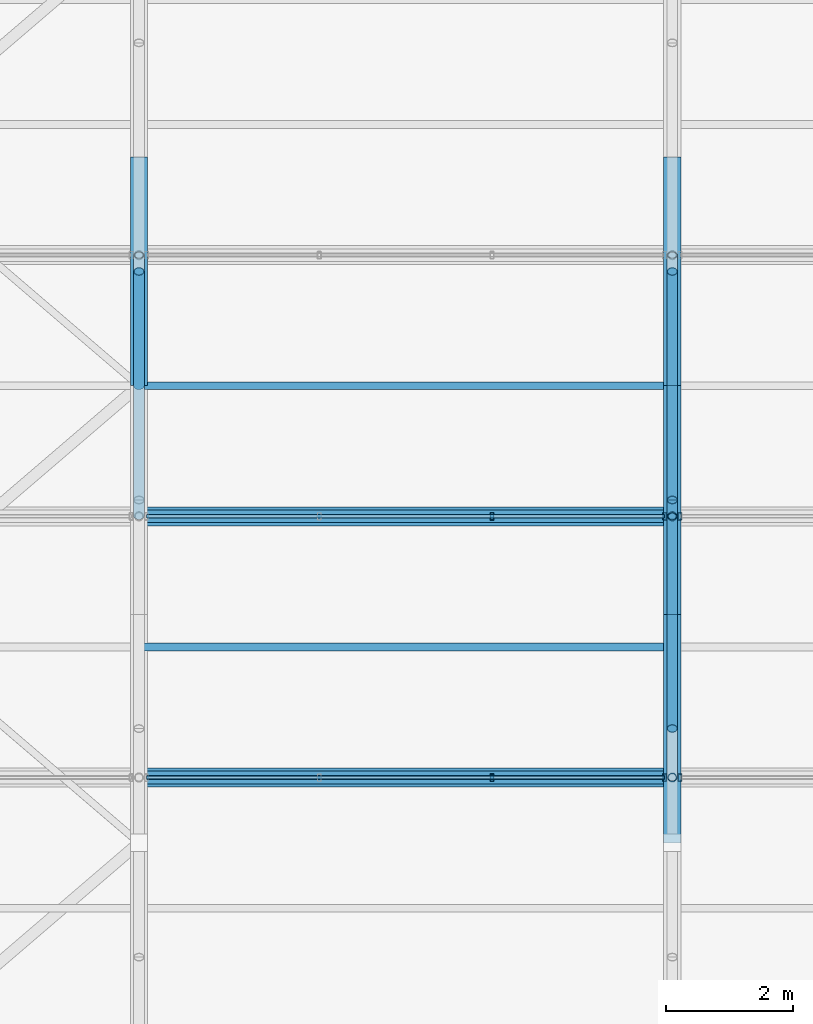
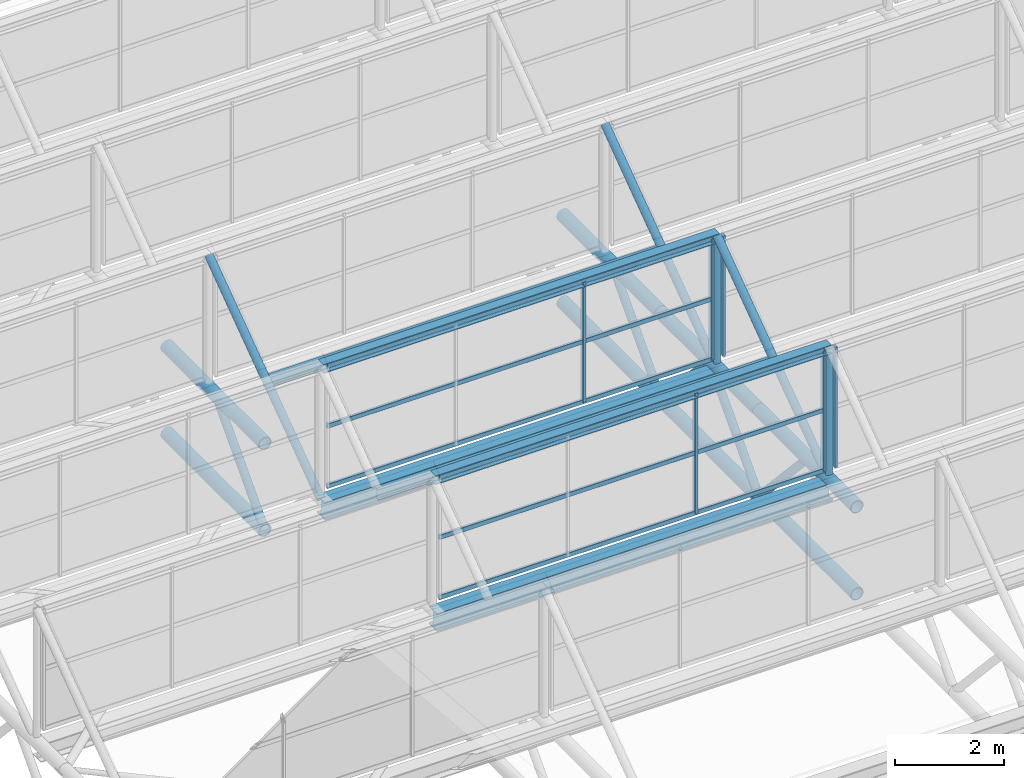
# One storey, part 59 of 134: 30 members, 6 beams, 4 elements without a shape of their own.
"""IFC4 building model written with IfcOpenShell, lengths in metres."""

from ifc_helpers import new_model, si_unit, derived_unit, direction, frame, origin, origin_2d, place, context, subcontext, project, spatial, hollow_rectangle, hollow_circle, i_section, extrude, material, material_profile, profile_set, type_object, element, aggregate, save


model = new_model("IFC4")

# Units and contexts
model_context = context("Model", 3, precision=1e-05, world=origin(), true_north=direction((0.0, 1.0)))
body_context = subcontext(model_context, "Body", "Model", "MODEL_VIEW")
ifc_project = project(units=[si_unit("LENGTHUNIT", "METRE"), si_unit("AREAUNIT", "SQUARE_METRE"), si_unit("VOLUMEUNIT", "CUBIC_METRE"), si_unit("PLANEANGLEUNIT", "RADIAN"), si_unit("MASSUNIT", "GRAM", prefix="KILO"), derived_unit("THERMALTRANSMITTANCEUNIT", [(si_unit("MASSUNIT", "GRAM", prefix="KILO"), 1), (si_unit("TIMEUNIT", "SECOND"), -3), (si_unit("THERMODYNAMICTEMPERATUREUNIT", "KELVIN"), -1)])], contexts=[model_context])

# Site, building, storey
site_placement = place(None, origin())
site = spatial("IfcSite", under=ifc_project, at=site_placement, CompositionType="ELEMENT")
building_placement = place(site_placement, origin())
building = spatial("IfcBuilding", under=site, at=building_placement, Name="Kharveza Railside Sports Centre", CompositionType="ELEMENT")
storey_placement = place(building_placement, frame((0.0, 0.0, 12.89990234375)))
storey = spatial("IfcBuildingStorey", under=building, at=storey_placement, Name="L03", CompositionType="ELEMENT", Elevation=12.89990234375)

# Beams
ifc_material_1 = material(Name="Steel S355J2", Category="steel")
ifc_material_profile_1 = material_profile(ifc_material_1, i_section(OverallWidth=0.300048828125, OverallDepth=0.39990234375, WebThickness=0.013427734375, FlangeThickness=0.02392578125, FilletRadius=0.027099609375, at=origin_2d()), Name="HEB 400")
ifc_profile_set_1 = profile_set([ifc_material_profile_1], Name="Steel S355J2")
beam_type_1 = type_object("IfcBeamType", Name="BM-G07", PredefinedType="T_BEAM", material=ifc_profile_set_1)
for number, where, z_axis, x_axis, name in (
    (1, (100.800048828125, 87.4287109375, 1.760009765625), (1.0, 0.0, 0.0), (0.0, 1.0, 0.0), "BM-V2SAW-VAL-3-2"),
    (2, (100.800048828125, 91.54296875, 1.760009765625), (1.0, 0.0, 0.0), (0.0, 1.0, 0.0), "BM-V2SAW-VAL-4-2"),
):
    element("IfcBeam", number, at=place(storey_placement, frame(where, z_axis=z_axis, x_axis=x_axis)), inside=storey, type_object=beam_type_1, Name=name, PredefinedType="T_BEAM", context=body_context, shape_type="SweptSolid", body=[
        extrude(i_section(OverallWidth=0.300048828125, OverallDepth=0.39990234375, WebThickness=0.013427734375, FlangeThickness=0.02392578125, FilletRadius=0.027099609375, at=origin_2d()), origin(), (0.0, 0.0, 1.0), 8.39990234375),
    ])
ifc_material_2 = material(Name="Steel S275JR", Category="steel")
ifc_material_profile_2 = material_profile(ifc_material_2, i_section(OverallWidth=0.1201171875, OverallDepth=0.239990234375, WebThickness=0.006103515625, FlangeThickness=0.009765625, FilletRadius=0.014892578125, at=origin_2d()), Name="IPE 240")
ifc_profile_set_2 = profile_set([ifc_material_profile_2], Name="Steel S275JR")
beam_type_2 = type_object("IfcBeamType", Name="BM-J01", PredefinedType="JOIST", material=ifc_profile_set_2)
for number, where, z_axis, x_axis, name in (
    (3, (100.800048828125, 89.485595703125, 3.320068359375), (1.0, 0.0, 0.0), (0.0, 1.0, 0.0), "BM-V2SAW-PUR-3-2"),
    (4, (100.800048828125, 93.60009765625, 3.320068359375), (1.0, 0.0, 0.0), (0.0, 1.0, 0.0), "BM-V2SAW-PUR-4-2"),
):
    element("IfcBeam", number, at=place(storey_placement, frame(where, z_axis=z_axis, x_axis=x_axis)), inside=storey, type_object=beam_type_2, Name=name, PredefinedType="JOIST", context=body_context, shape_type="SweptSolid", body=[
        extrude(i_section(OverallWidth=0.1201171875, OverallDepth=0.239990234375, WebThickness=0.006103515625, FlangeThickness=0.009765625, FilletRadius=0.014892578125, at=origin_2d()), origin(), (0.0, 0.0, 1.0), 8.39990234375),
    ])
ifc_material_profile_3 = material_profile(ifc_material_2, i_section(OverallWidth=0.199951171875, OverallDepth=0.199951171875, WebThickness=0.009033203125, FlangeThickness=0.014892578125, FilletRadius=0.01806640625, at=origin_2d()), Name="HEB 200")
ifc_profile_set_3 = profile_set([ifc_material_profile_3], Name="Steel S275JR")
beam_type_3 = type_object("IfcBeamType", Name="BM-J05", PredefinedType="JOIST", material=ifc_profile_set_3)
for number, where, z_axis, x_axis, name in (
    (5, (100.800048828125, 87.4287109375, 4.920166015625), (1.0, 0.0, 0.0), (0.0, 1.0, 0.0), "BM-V2SAW-RDG-2-2"),
    (6, (100.800048828125, 91.54296875, 4.920166015625), (1.0, 0.0, 0.0), (0.0, 1.0, 0.0), "BM-V2SAW-RDG-3-2"),
):
    element("IfcBeam", number, at=place(storey_placement, frame(where, z_axis=z_axis, x_axis=x_axis)), inside=storey, type_object=beam_type_3, Name=name, PredefinedType="JOIST", context=body_context, shape_type="SweptSolid", body=[
        extrude(i_section(OverallWidth=0.199951171875, OverallDepth=0.199951171875, WebThickness=0.009033203125, FlangeThickness=0.014892578125, FilletRadius=0.01806640625, at=origin_2d()), origin(), (0.0, 0.0, 1.0), 8.39990234375),
    ])

# Curtain wall, members
ifc_material_3 = material(Name="Low-E solar-control laminated glass", Category="glass")
curtain_wall_type = type_object("IfcCurtainWallType", Name="CW-NL02", PredefinedType="NOTDEFINED", material=ifc_material_3)
curtain_wall_1_placement = place(storey_placement, origin())
curtain_wall_1 = element("IfcCurtainWall", 7, at=curtain_wall_1_placement, inside=storey, type_object=curtain_wall_type, Name="CW-V2NL-2-2", PredefinedType="NOTDEFINED")
ifc_material_4 = material(Name="Anodised aluminium 6063-T6", Category="aluminium")
ifc_material_profile_4 = material_profile(ifc_material_4, hollow_rectangle(XDim=0.06005859375, YDim=0.1201171875, WallThickness=0.0048828125, InnerFilletRadius=0.0048828125, OuterFilletRadius=0.010009765625, at=origin_2d()), Name="RHS 60x120x5.0")
ifc_profile_set_4 = profile_set([ifc_material_profile_4], Name="Anodised aluminium 6063-T6")
member_type_1 = type_object("IfcMemberType", Name="CW-ML05", PredefinedType="MULLION", material=ifc_profile_set_4)
member_1_placement = place(storey_placement, frame((106.360107421875, 87.4287109375, 2.2001953125), z_axis=(0.0, 0.0, 1.0), x_axis=(1.0, 0.0, 0.0)))
member_1 = element("IfcMember", 8, at=member_1_placement, type_object=member_type_1, Name="CW-V2NL-2-2-ML3", PredefinedType="MULLION", context=body_context, shape_type="SweptSolid", body=[
    extrude(hollow_rectangle(XDim=0.06005859375, YDim=0.1201171875, WallThickness=0.0048828125, InnerFilletRadius=0.0048828125, OuterFilletRadius=0.010009765625, at=origin_2d()), origin(), (0.0, 0.0, 1.0), 2.699951171875),
])
member_2_placement = place(storey_placement, frame((109.080078125, 87.4287109375, 2.2001953125), z_axis=(0.0, 0.0, 1.0), x_axis=(1.0, 0.0, 0.0)))
member_2 = element("IfcMember", 9, at=member_2_placement, type_object=member_type_1, Name="CW-V2NL-2-2-ML4", PredefinedType="MULLION", context=body_context, shape_type="SweptSolid", body=[
    extrude(hollow_rectangle(XDim=0.06005859375, YDim=0.1201171875, WallThickness=0.0048828125, InnerFilletRadius=0.0048828125, OuterFilletRadius=0.010009765625, at=origin_2d()), origin(), (0.0, 0.0, 1.0), 2.699951171875),
])

# Curtain wall, member
curtain_wall_2_placement = place(storey_placement, origin())
curtain_wall_2 = element("IfcCurtainWall", 10, at=curtain_wall_2_placement, inside=storey, type_object=curtain_wall_type, Name="CW-V2NL-2-3", PredefinedType="NOTDEFINED")
member_3_placement = place(storey_placement, frame((109.320068359375, 87.4287109375, 2.2001953125), z_axis=(0.0, 0.0, 1.0), x_axis=(1.0, 0.0, 0.0)))
member_3 = element("IfcMember", 11, at=member_3_placement, type_object=member_type_1, Name="CW-V2NL-2-3-ML1", PredefinedType="MULLION", context=body_context, shape_type="SweptSolid", body=[
    extrude(hollow_rectangle(XDim=0.06005859375, YDim=0.1201171875, WallThickness=0.0048828125, InnerFilletRadius=0.0048828125, OuterFilletRadius=0.010009765625, at=origin_2d()), origin(), (0.0, 0.0, 1.0), 2.699951171875),
])
aggregate(curtain_wall_2, [member_3])

# Curtain wall, members
curtain_wall_3_placement = place(storey_placement, origin())
curtain_wall_3 = element("IfcCurtainWall", 12, at=curtain_wall_3_placement, inside=storey, type_object=curtain_wall_type, Name="CW-V2NL-3-2", PredefinedType="NOTDEFINED")
member_4_placement = place(storey_placement, frame((106.360107421875, 91.54296875, 2.2001953125), z_axis=(0.0, 0.0, 1.0), x_axis=(1.0, 0.0, 0.0)))
member_4 = element("IfcMember", 13, at=member_4_placement, type_object=member_type_1, Name="CW-V2NL-3-2-ML3", PredefinedType="MULLION", context=body_context, shape_type="SweptSolid", body=[
    extrude(hollow_rectangle(XDim=0.06005859375, YDim=0.1201171875, WallThickness=0.0048828125, InnerFilletRadius=0.0048828125, OuterFilletRadius=0.010009765625, at=origin_2d()), origin(), (0.0, 0.0, 1.0), 2.699951171875),
])
member_5_placement = place(storey_placement, frame((109.080078125, 91.54296875, 2.2001953125), z_axis=(0.0, 0.0, 1.0), x_axis=(1.0, 0.0, 0.0)))
member_5 = element("IfcMember", 14, at=member_5_placement, type_object=member_type_1, Name="CW-V2NL-3-2-ML4", PredefinedType="MULLION", context=body_context, shape_type="SweptSolid", body=[
    extrude(hollow_rectangle(XDim=0.06005859375, YDim=0.1201171875, WallThickness=0.0048828125, InnerFilletRadius=0.0048828125, OuterFilletRadius=0.010009765625, at=origin_2d()), origin(), (0.0, 0.0, 1.0), 2.699951171875),
])

# Curtain wall, member
curtain_wall_4_placement = place(storey_placement, origin())
curtain_wall_4 = element("IfcCurtainWall", 15, at=curtain_wall_4_placement, inside=storey, type_object=curtain_wall_type, Name="CW-V2NL-3-3", PredefinedType="NOTDEFINED")
member_6_placement = place(storey_placement, frame((109.320068359375, 91.54296875, 2.2001953125), z_axis=(0.0, 0.0, 1.0), x_axis=(1.0, 0.0, 0.0)))
member_6 = element("IfcMember", 16, at=member_6_placement, type_object=member_type_1, Name="CW-V2NL-3-3-ML1", PredefinedType="MULLION", context=body_context, shape_type="SweptSolid", body=[
    extrude(hollow_rectangle(XDim=0.06005859375, YDim=0.1201171875, WallThickness=0.0048828125, InnerFilletRadius=0.0048828125, OuterFilletRadius=0.010009765625, at=origin_2d()), origin(), (0.0, 0.0, 1.0), 2.699951171875),
])
aggregate(curtain_wall_4, [member_6])

# Member
ifc_material_profile_5 = material_profile(ifc_material_4, hollow_rectangle(XDim=0.06005859375, YDim=0.10009765625, WallThickness=0.00390625, InnerFilletRadius=0.00390625, OuterFilletRadius=0.008056640625, at=origin_2d()), Name="RHS 60x100x4.0")
ifc_profile_set_5 = profile_set([ifc_material_profile_5], Name="Anodised aluminium 6063-T6")
member_type_2 = type_object("IfcMemberType", Name="CW-TR05", PredefinedType="USERDEFINED", material=ifc_profile_set_5)
member_7_placement = place(storey_placement, frame((100.919921875, 87.4287109375, 2.2001953125), z_axis=(1.0, 0.0, 0.0), x_axis=(0.0, 1.0, 0.0)))
member_7 = element("IfcMember", 17, at=member_7_placement, type_object=member_type_2, Name="CW-V2NL-2-2-TR1", ObjectType="TRANSOM", PredefinedType="USERDEFINED", context=body_context, shape_type="SweptSolid", body=[
    extrude(hollow_rectangle(XDim=0.06005859375, YDim=0.10009765625, WallThickness=0.00390625, InnerFilletRadius=0.00390625, OuterFilletRadius=0.008056640625, at=origin_2d()), origin(), (0.0, 0.0, 1.0), 8.16015625),
])

member_8_placement = place(storey_placement, frame((100.919921875, 87.4287109375, 3.550048828125), z_axis=(1.0, 0.0, 0.0), x_axis=(0.0, 1.0, 0.0)))
member_8 = element("IfcMember", 18, at=member_8_placement, type_object=member_type_2, Name="CW-V2NL-2-2-TR2", ObjectType="TRANSOM", PredefinedType="USERDEFINED", context=body_context, shape_type="SweptSolid", body=[
    extrude(hollow_rectangle(XDim=0.06005859375, YDim=0.10009765625, WallThickness=0.00390625, InnerFilletRadius=0.00390625, OuterFilletRadius=0.008056640625, at=origin_2d()), origin(), (0.0, 0.0, 1.0), 8.16015625),
])

member_9_placement = place(storey_placement, frame((100.919921875, 87.4287109375, 4.900146484375), z_axis=(1.0, 0.0, 0.0), x_axis=(0.0, 1.0, 0.0)))
member_9 = element("IfcMember", 19, at=member_9_placement, type_object=member_type_2, Name="CW-V2NL-2-2-TR3", ObjectType="TRANSOM", PredefinedType="USERDEFINED", context=body_context, shape_type="SweptSolid", body=[
    extrude(hollow_rectangle(XDim=0.06005859375, YDim=0.10009765625, WallThickness=0.00390625, InnerFilletRadius=0.00390625, OuterFilletRadius=0.008056640625, at=origin_2d()), origin(), (0.0, 0.0, 1.0), 8.16015625),
])

aggregate(curtain_wall_1, [member_1, member_2, member_7, member_8, member_9])

member_10_placement = place(storey_placement, frame((100.919921875, 91.54296875, 2.2001953125), z_axis=(1.0, 0.0, 0.0), x_axis=(0.0, 1.0, 0.0)))
member_10 = element("IfcMember", 20, at=member_10_placement, type_object=member_type_2, Name="CW-V2NL-3-2-TR1", ObjectType="TRANSOM", PredefinedType="USERDEFINED", context=body_context, shape_type="SweptSolid", body=[
    extrude(hollow_rectangle(XDim=0.06005859375, YDim=0.10009765625, WallThickness=0.00390625, InnerFilletRadius=0.00390625, OuterFilletRadius=0.008056640625, at=origin_2d()), origin(), (0.0, 0.0, 1.0), 8.16015625),
])

member_11_placement = place(storey_placement, frame((100.919921875, 91.54296875, 3.550048828125), z_axis=(1.0, 0.0, 0.0), x_axis=(0.0, 1.0, 0.0)))
member_11 = element("IfcMember", 21, at=member_11_placement, type_object=member_type_2, Name="CW-V2NL-3-2-TR2", ObjectType="TRANSOM", PredefinedType="USERDEFINED", context=body_context, shape_type="SweptSolid", body=[
    extrude(hollow_rectangle(XDim=0.06005859375, YDim=0.10009765625, WallThickness=0.00390625, InnerFilletRadius=0.00390625, OuterFilletRadius=0.008056640625, at=origin_2d()), origin(), (0.0, 0.0, 1.0), 8.16015625),
])

member_12_placement = place(storey_placement, frame((100.919921875, 91.54296875, 4.900146484375), z_axis=(1.0, 0.0, 0.0), x_axis=(0.0, 1.0, 0.0)))
member_12 = element("IfcMember", 22, at=member_12_placement, type_object=member_type_2, Name="CW-V2NL-3-2-TR3", ObjectType="TRANSOM", PredefinedType="USERDEFINED", context=body_context, shape_type="SweptSolid", body=[
    extrude(hollow_rectangle(XDim=0.06005859375, YDim=0.10009765625, WallThickness=0.00390625, InnerFilletRadius=0.00390625, OuterFilletRadius=0.008056640625, at=origin_2d()), origin(), (0.0, 0.0, 1.0), 8.16015625),
])

aggregate(curtain_wall_3, [member_4, member_5, member_10, member_11, member_12])

# Members
ifc_material_profile_6 = material_profile(ifc_material_1, hollow_circle(Radius=0.136474609375, WallThickness=0.01416015625, at=origin_2d()), Name="CHS 273.0x14.2")
ifc_profile_set_6 = profile_set([ifc_material_profile_6], Name="Steel S355J2")
member_type_3 = type_object("IfcMemberType", Name="MB-CH03", PredefinedType="CHORD", material=ifc_profile_set_6)
for number, where, z_axis, x_axis, name in (
    (23, (100.800048828125, 93.60009765625, 0.0), (0.0, 1.0, 0.0), (-1.0, 0.0, 0.0), "MB-V2TR-BC-2-5"),
    (24, (100.800048828125, 93.60009765625, 1.9501953125), (0.0, 1.0, 0.0), (-1.0, 0.0, 0.0), "MB-V2TR-TC-2-5"),
):
    element("IfcMember", number, at=place(storey_placement, frame(where, z_axis=z_axis, x_axis=x_axis)), inside=storey, type_object=member_type_3, Name=name, PredefinedType="CHORD", context=body_context, shape_type="SweptSolid", body=[
        extrude(hollow_circle(Radius=0.136474609375, WallThickness=0.01416015625, at=origin_2d()), origin(), (0.0, 0.0, 1.0), 3.599853515625),
    ])
for number, where, z_axis, x_axis, name in (
    (25, (109.199951171875, 86.39990234375, 0.0), (0.0, 1.0, 0.0), (-1.0, 0.0, 0.0), "MB-V2TR-BC-3-3"),
    (26, (109.199951171875, 86.39990234375, 1.9501953125), (0.0, 1.0, 0.0), (-1.0, 0.0, 0.0), "MB-V2TR-TC-3-3"),
    (27, (109.199951171875, 90.0, 0.0), (0.0, 1.0, 0.0), (-1.0, 0.0, 0.0), "MB-V2TR-BC-3-4"),
    (28, (109.199951171875, 90.0, 1.9501953125), (0.0, 1.0, 0.0), (-1.0, 0.0, 0.0), "MB-V2TR-TC-3-4"),
):
    element("IfcMember", number, at=place(storey_placement, frame(where, z_axis=z_axis, x_axis=x_axis)), inside=storey, type_object=member_type_3, Name=name, PredefinedType="CHORD", context=body_context, shape_type="SweptSolid", body=[
        extrude(hollow_circle(Radius=0.136474609375, WallThickness=0.01416015625, at=origin_2d()), origin(), (0.0, 0.0, 1.0), 3.60009765625),
    ])
for number, where, z_axis, x_axis, name in (
    (29, (109.199951171875, 93.60009765625, 0.0), (0.0, 1.0, 0.0), (-1.0, 0.0, 0.0), "MB-V2TR-BC-3-5"),
    (30, (109.199951171875, 93.60009765625, 1.9501953125), (0.0, 1.0, 0.0), (-1.0, 0.0, 0.0), "MB-V2TR-TC-3-5"),
):
    element("IfcMember", number, at=place(storey_placement, frame(where, z_axis=z_axis, x_axis=x_axis)), inside=storey, type_object=member_type_3, Name=name, PredefinedType="CHORD", context=body_context, shape_type="SweptSolid", body=[
        extrude(hollow_circle(Radius=0.136474609375, WallThickness=0.01416015625, at=origin_2d()), origin(), (0.0, 0.0, 1.0), 3.599853515625),
    ])
ifc_material_profile_7 = material_profile(ifc_material_1, hollow_circle(Radius=0.084228515625, WallThickness=0.010009765625, at=origin_2d()), Name="CHS 168.3x10.0")
ifc_profile_set_7 = profile_set([ifc_material_profile_7], Name="Steel S355J2")
member_type_4 = type_object("IfcMemberType", Name="MB-ST03", PredefinedType="STRUT", material=ifc_profile_set_7)
member_13_placement = place(storey_placement, frame((100.800048828125, 93.60009765625, 0.0), z_axis=(0.0, 0.678203679629, 0.734873981671), x_axis=(-1.0, 0.0, 0.0)))
element("IfcMember", 31, at=member_13_placement, inside=storey, type_object=member_type_4, Name="MB-V2TR-D1-2-5", PredefinedType="STRUT", context=body_context, shape_type="SweptSolid", body=[
    extrude(hollow_circle(Radius=0.084228515625, WallThickness=0.010009765625, at=origin_2d()), origin(), (0.0, 0.0, 1.0), 2.65380859375),
])
for number, where, z_axis, x_axis, name in (
    (32, (109.199951171875, 88.199951171875, 1.9501953125), (0.0, 0.67825335715, -0.734828131956), (-1.0, 0.0, 0.0), "MB-V2TR-D2-3-3"),
    (33, (109.199951171875, 90.0, 0.0), (0.0, 0.67825335715, 0.734828131956), (-1.0, 0.0, 0.0), "MB-V2TR-D1-3-4"),
    (34, (109.199951171875, 91.800048828125, 1.9501953125), (0.0, 0.67825335715, -0.734828131956), (-1.0, 0.0, 0.0), "MB-V2TR-D2-3-4"),
):
    element("IfcMember", number, at=place(storey_placement, frame(where, z_axis=z_axis, x_axis=x_axis)), inside=storey, type_object=member_type_4, Name=name, PredefinedType="STRUT", context=body_context, shape_type="SweptSolid", body=[
        extrude(hollow_circle(Radius=0.084228515625, WallThickness=0.010009765625, at=origin_2d()), origin(), (0.0, 0.0, 1.0), 2.654052734375),
    ])
member_14_placement = place(storey_placement, frame((109.199951171875, 93.60009765625, 0.0), z_axis=(0.0, 0.678203679629, 0.734873981671), x_axis=(-1.0, 0.0, 0.0)))
element("IfcMember", 35, at=member_14_placement, inside=storey, type_object=member_type_4, Name="MB-V2TR-D1-3-5", PredefinedType="STRUT", context=body_context, shape_type="SweptSolid", body=[
    extrude(hollow_circle(Radius=0.084228515625, WallThickness=0.010009765625, at=origin_2d()), origin(), (0.0, 0.0, 1.0), 2.65380859375),
])
member_15_placement = place(storey_placement, frame((109.199951171875, 87.4287109375, 1.9501953125), z_axis=(0.0, 0.810813691418, 0.585304329225), x_axis=(-1.0, 0.0, 0.0)))
element("IfcMember", 36, at=member_15_placement, inside=storey, type_object=member_type_4, Name="MB-V2SAW-RFT-3-3", PredefinedType="STRUT", context=body_context, shape_type="SweptSolid", body=[
    extrude(hollow_circle(Radius=0.084228515625, WallThickness=0.010009765625, at=origin_2d()), origin(), (0.0, 0.0, 1.0), 5.07421875),
])
for number, where, z_axis, x_axis, name in (
    (37, (100.800048828125, 91.54296875, 1.9501953125), (0.0, 0.810797207573, 0.585327163381), (-1.0, 0.0, 0.0), "MB-V2SAW-RFT-4-2"),
    (38, (109.199951171875, 91.54296875, 1.9501953125), (0.0, 0.810797207573, 0.585327163381), (-1.0, 0.0, 0.0), "MB-V2SAW-RFT-4-3"),
):
    element("IfcMember", number, at=place(storey_placement, frame(where, z_axis=z_axis, x_axis=x_axis)), inside=storey, type_object=member_type_4, Name=name, PredefinedType="STRUT", context=body_context, shape_type="SweptSolid", body=[
        extrude(hollow_circle(Radius=0.084228515625, WallThickness=0.010009765625, at=origin_2d()), origin(), (0.0, 0.0, 1.0), 5.073974609375),
    ])
ifc_material_profile_8 = material_profile(ifc_material_1, hollow_circle(Radius=0.06982421875, WallThickness=0.008056640625, at=origin_2d()), Name="CHS 139.7x8.0")
ifc_profile_set_8 = profile_set([ifc_material_profile_8], Name="Steel S355J2")
member_type_5 = type_object("IfcMemberType", Name="MB-ST04", PredefinedType="STRUT", material=ifc_profile_set_8)
for number, where, z_axis, x_axis, name in (
    (39, (109.199951171875, 87.4287109375, 1.9501953125), (0.0, 0.0, 1.0), (1.0, 0.0, 0.0), "MB-V2SAW-PST-2-3"),
    (40, (109.199951171875, 91.54296875, 1.9501953125), (0.0, 0.0, 1.0), (1.0, 0.0, 0.0), "MB-V2SAW-PST-3-3"),
):
    element("IfcMember", number, at=place(storey_placement, frame(where, z_axis=z_axis, x_axis=x_axis)), inside=storey, type_object=member_type_5, Name=name, PredefinedType="STRUT", context=body_context, shape_type="SweptSolid", body=[
        extrude(hollow_circle(Radius=0.06982421875, WallThickness=0.008056640625, at=origin_2d()), origin(), (0.0, 0.0, 1.0), 2.969970703125),
    ])

save(model, "model.ifc")
